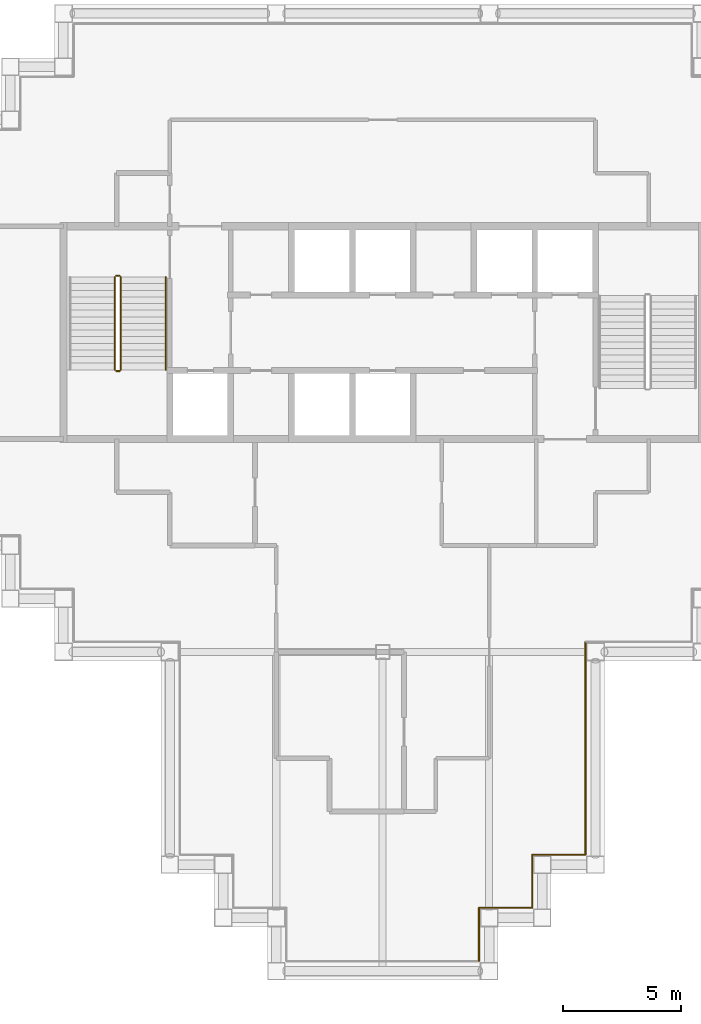
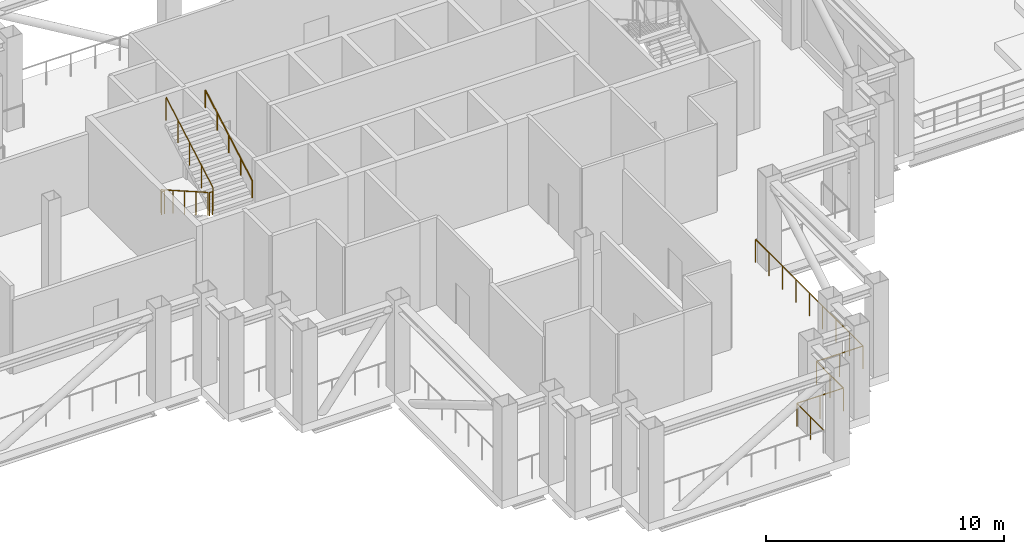
# One storey, part 8 of 10: 10 railings.
"""IFC4 building model written with IfcOpenShell, lengths in metres."""

import ifcopenshell
import ifcopenshell.guid

model = None  # the IFC model being written
_history = None  # IfcOwnerHistory: only IFC2X3 demands one
_inside = {}  # id of a spatial element -> (the spatial element, [elements in it])
_under = {}  # id of a project, library or spatial element -> (it, [spatial elements below it])
_declared = {}  # id of a project -> (the project, [libraries it declares])
_typed = {}  # id of a type object -> (the type object, [elements of that type])
_made_of = {}  # id of a material, layer set ... -> (it, [elements and type objects made of it])


def new_model(schema):
    """Start an empty IFC model of exactly this schema.

    Asked for "IFC4X3", IfcOpenShell would pick the latest addendum, in which some entities
    have other attributes; the version numbers below select the first issue.
    IFC2X3 requires an IfcOwnerHistory on every rooted entity: one is made here for all.
    """
    global model, _history
    if schema == "IFC4X3":
        model = ifcopenshell.file(schema_version=(4, 3, 0, 0))
    else:
        model = ifcopenshell.file(schema=schema)
    _inside.clear()
    _under.clear()
    _declared.clear()
    _typed.clear()
    _made_of.clear()
    _history = None
    if model.schema == "IFC2X3":
        org = make("IfcOrganization", Name="unknown")
        user = make(
            "IfcPersonAndOrganization",
            ThePerson=make("IfcPerson", FamilyName="unknown"),
            TheOrganization=org,
        )
        app = make(
            "IfcApplication",
            ApplicationDeveloper=org,
            Version="unknown",
            ApplicationFullName="unknown",
            ApplicationIdentifier="unknown",
        )
        _history = make(
            "IfcOwnerHistory",
            OwningUser=user,
            OwningApplication=app,
            ChangeAction="ADDED",
            CreationDate=0,
        )
    return model


def make(cls, **values):
    """One entity of the class cls with the attributes given. An attribute that is None is left unset."""
    return model.create_entity(
        cls, **{name: value for name, value in values.items() if value is not None}
    )


def rooted(cls, **values):
    """An entity with a GlobalId (a new one), such as an element, a storey or a relation."""
    return make(cls, GlobalId=ifcopenshell.guid.new(), OwnerHistory=_history, **values)


def si_unit(unit_type, name, prefix=None):
    """IfcSIUnit, for example si_unit("LENGTHUNIT", "METRE", prefix="MILLI")."""
    return make("IfcSIUnit", UnitType=unit_type, Prefix=prefix, Name=name)


def assignment(units):
    """IfcUnitAssignment: the units of a project."""
    return None if units is None else make("IfcUnitAssignment", Units=units)


def point(xyz):
    """IfcCartesianPoint."""
    return None if xyz is None else make("IfcCartesianPoint", Coordinates=xyz)


def direction(xyz):
    """IfcDirection."""
    return None if xyz is None else make("IfcDirection", DirectionRatios=xyz)


def frame(location, z_axis=None, x_axis=None):
    """IfcAxis2Placement3D, a coordinate frame: its origin and axes. An axis left out is left unset."""
    return make(
        "IfcAxis2Placement3D",
        Location=point(location),
        Axis=direction(z_axis),
        RefDirection=direction(x_axis),
    )


def frame_2d(location, x_axis=None):
    """IfcAxis2Placement2D, a coordinate frame in the plane: its origin and x axis."""
    return make(
        "IfcAxis2Placement2D", Location=point(location), RefDirection=direction(x_axis)
    )


def origin():
    """The frame at (0, 0, 0) with its axes left unset."""
    return frame((0.0, 0.0, 0.0))


def origin_2d():
    """The frame at (0, 0) in the plane with its x axis left unset."""
    return frame_2d((0.0, 0.0))


def place(relative_to, where):
    """IfcLocalPlacement: puts the frame where relative to a parent placement (None: the world)."""
    return make(
        "IfcLocalPlacement", PlacementRelTo=relative_to, RelativePlacement=where
    )


def context(
    kind, dimensions, precision=None, world=None, true_north=None, identifier=None
):
    """IfcGeometricRepresentationContext, for example the 3D "Model" context."""
    return make(
        "IfcGeometricRepresentationContext",
        ContextIdentifier=identifier,
        ContextType=kind,
        CoordinateSpaceDimension=dimensions,
        Precision=precision,
        WorldCoordinateSystem=world,
        TrueNorth=true_north,
    )


def subcontext(parent, identifier, kind, view, scale=None):
    """IfcGeometricRepresentationSubContext, for example "Body" below "Model"."""
    return make(
        "IfcGeometricRepresentationSubContext",
        ContextIdentifier=identifier,
        ContextType=kind,
        ParentContext=parent,
        TargetScale=scale,
        TargetView=view,
    )


def project(units=None, contexts=None):
    """IfcProject with its units and contexts."""
    return rooted(
        "IfcProject",
        Name="project",
        RepresentationContexts=contexts,
        UnitsInContext=assignment(units),
    )


def spatial(cls, under=None, at=None, **own):
    """A site, building, storey or space (cls), placed at a placement, below another one or the project."""
    s = rooted(cls, ObjectPlacement=at, **own)
    if under is not None:
        _under.setdefault(under.id(), (under, []))[1].append(s)
    return s


def profile(cls, at=None, kind="AREA", **sizes):
    """A parametric profile (cls). Its sizes go by their IFC names, for example OverallWidth=200.0."""
    return make(cls, ProfileType=kind, Position=at, **sizes)


def circle(**sizes):
    """IfcCircleProfileDef."""
    return profile("IfcCircleProfileDef", **sizes)


def extrude(swept, where, along, depth):
    """IfcExtrudedAreaSolid: the profile swept, set in the frame where, extruded along a direction by depth."""
    return make(
        "IfcExtrudedAreaSolid",
        SweptArea=swept,
        Position=where,
        ExtrudedDirection=direction(along),
        Depth=depth,
    )


def shape(context_of_items, identifier, shape_type, items):
    """IfcShapeRepresentation: the items that make up one representation, for example the "Body"."""
    return make(
        "IfcShapeRepresentation",
        ContextOfItems=context_of_items,
        RepresentationIdentifier=identifier,
        RepresentationType=shape_type,
        Items=items,
    )


def material(Name=None, Category=None):
    """IfcMaterial."""
    return make("IfcMaterial", Name=Name, Category=Category)


def made_of(thing, what):
    """Note that an element or type object is made of a material, layer set ...; save() writes the relation."""
    if what is not None:
        _made_of.setdefault(what.id(), (what, []))[1].append(thing)
    return thing


def type_object(cls, material=None, **own):
    """A type object (cls), such as IfcWallType, which elements share."""
    return made_of(rooted(cls, **own), material)


def element(
    cls,
    number,
    at=None,
    inside=None,
    cuts=None,
    type_object=None,
    material=None,
    context=None,
    identifier="Body",
    shape_type=None,
    held_by="IfcProductDefinitionShape",
    body=None,
    shapes=None,
    **own,
):
    """One element of the class cls, such as IfcWall. Its Tag is "e" and its number.

    at: its placement. inside: the storey or other place that contains it. cuts: it is an
    opening in that element (IfcRelVoidsElement). A single representation is given by context,
    identifier, shape_type and body (its items); several are given by shapes. held_by: the class
    of the entity that holds the representations. save() writes the other relations.
    """
    e = rooted(cls, Tag="e%d" % number, ObjectPlacement=at, **own)
    if body is not None:
        shapes = [shape(context, identifier, shape_type, body)]
    if shapes is not None:
        e.Representation = make(held_by, Representations=shapes)
    if inside is not None:
        _inside.setdefault(inside.id(), (inside, []))[1].append(e)
    if cuts is not None:
        rooted(
            "IfcRelVoidsElement", RelatingBuildingElement=cuts, RelatedOpeningElement=e
        )
    if type_object is not None:
        _typed.setdefault(type_object.id(), (type_object, []))[1].append(e)
    return made_of(e, material)


def aggregate(whole, parts):
    """IfcRelAggregates: a whole, such as a stair, and the parts it consists of."""
    return rooted("IfcRelAggregates", RelatingObject=whole, RelatedObjects=parts)


def save(model, path):
    """Write the relations noted so far, then the file.

    IfcRelAggregates (storeys below a building ...), IfcRelContainedInSpatialStructure (elements
    in a storey), IfcRelDefinesByType, IfcRelAssociatesMaterial and IfcRelDeclares: one each for
    every whole, place, type object, material and project.
    """
    for whole, parts in _under.values():
        aggregate(whole, parts)
    for where, things in _inside.values():
        rooted(
            "IfcRelContainedInSpatialStructure",
            RelatedElements=things,
            RelatingStructure=where,
        )
    for kind, things in _typed.values():
        rooted("IfcRelDefinesByType", RelatedObjects=things, RelatingType=kind)
    for what, things in _made_of.values():
        rooted("IfcRelAssociatesMaterial", RelatedObjects=things, RelatingMaterial=what)
    for by, libraries in _declared.values():
        rooted("IfcRelDeclares", RelatingContext=by, RelatedDefinitions=libraries)
    model.write(path)


model = new_model("IFC4")

# Units and contexts
model_context = context("Model", 3, precision=1e-05, world=origin(), true_north=direction((0.0, 1.0)))
body_context = subcontext(model_context, "Body", "Model", "MODEL_VIEW")
ifc_project = project(units=[si_unit("LENGTHUNIT", "METRE"), si_unit("AREAUNIT", "SQUARE_METRE"), si_unit("VOLUMEUNIT", "CUBIC_METRE"), si_unit("PLANEANGLEUNIT", "RADIAN"), si_unit("MASSUNIT", "GRAM", prefix="KILO")], contexts=[model_context])

# Site, building, storey
site_placement = place(None, origin())
site = spatial("IfcSite", under=ifc_project, at=site_placement, CompositionType="ELEMENT")
building_placement = place(site_placement, origin())
building = spatial("IfcBuilding", under=site, at=building_placement, Name="Caravel Reach Hotel and Residences", CompositionType="ELEMENT")
storey_placement = place(building_placement, frame((0.0, 0.0, 187.60009765625)))
storey = spatial("IfcBuildingStorey", under=building, at=storey_placement, Name="L47", CompositionType="ELEMENT", Elevation=187.60009765625)

# Railings
ifc_material_1 = material(Name="Stainless steel S30408", Category="steel")
railing_type_1 = type_object("IfcRailingType", Name="G1 Guard 1200 stainless", PredefinedType="GUARDRAIL", material=ifc_material_1)
railing_1_placement = place(storey_placement, frame((35.574951171875, 0.425048828125, 0.0)))
element("IfcRailing", 1, at=railing_1_placement, inside=storey, type_object=railing_type_1, Name="Guard L47 1 run 40", PredefinedType="GUARDRAIL", context=body_context, shape_type="SweptSolid", body=[
    extrude(circle(Radius=0.02392578125, at=origin_2d()), frame((0.0, 0.0, 1.17578125), z_axis=(0.0, 1.0, 0.0), x_axis=(-1.0, 0.0, 0.0)), (0.0, 0.0, 1.0), 2.25),
    extrude(circle(Radius=0.02099609375, at=origin_2d()), frame((0.0, 1.125, 0.0)), (0.0, 0.0, 1.0), 1.15185546875),
    extrude(circle(Radius=0.02099609375, at=origin_2d()), frame((0.0, 2.25, 0.0)), (0.0, 0.0, 1.0), 1.15185546875),
])
railing_2_placement = place(storey_placement, frame((35.574951171875, 2.675048828125, 0.0)))
element("IfcRailing", 2, at=railing_2_placement, inside=storey, type_object=railing_type_1, Name="Guard L47 1 run 41", PredefinedType="GUARDRAIL", context=body_context, shape_type="SweptSolid", body=[
    extrude(circle(Radius=0.02392578125, at=origin_2d()), frame((0.0, 0.0, 1.17578125), z_axis=(1.0, 0.0, 0.0), x_axis=(0.0, 1.0, 0.0)), (0.0, 0.0, 1.0), 2.25),
    extrude(circle(Radius=0.02099609375, at=origin_2d()), frame((1.125, 0.0, 0.0)), (0.0, 0.0, 1.0), 1.15185546875),
    extrude(circle(Radius=0.02099609375, at=origin_2d()), frame((2.25, 0.0, 0.0)), (0.0, 0.0, 1.0), 1.15185546875),
])
railing_3_placement = place(storey_placement, frame((37.824951171875, 2.675048828125, 0.0)))
element("IfcRailing", 3, at=railing_3_placement, inside=storey, type_object=railing_type_1, Name="Guard L47 1 run 42", PredefinedType="GUARDRAIL", context=body_context, shape_type="SweptSolid", body=[
    extrude(circle(Radius=0.02392578125, at=origin_2d()), frame((0.0, 0.0, 1.17578125), z_axis=(0.0, 1.0, 0.0), x_axis=(-1.0, 0.0, 0.0)), (0.0, 0.0, 1.0), 2.25),
    extrude(circle(Radius=0.02099609375, at=origin_2d()), frame((0.0, 1.125, 0.0)), (0.0, 0.0, 1.0), 1.15185546875),
    extrude(circle(Radius=0.02099609375, at=origin_2d()), frame((0.0, 2.25, 0.0)), (0.0, 0.0, 1.0), 1.15185546875),
])
railing_4_placement = place(storey_placement, frame((37.824951171875, 4.925048828125, 0.0)))
element("IfcRailing", 4, at=railing_4_placement, inside=storey, type_object=railing_type_1, Name="Guard L47 1 run 43", PredefinedType="GUARDRAIL", context=body_context, shape_type="SweptSolid", body=[
    extrude(circle(Radius=0.02392578125, at=origin_2d()), frame((0.0, 0.0, 1.17578125), z_axis=(1.0, 0.0, 0.0), x_axis=(0.0, 1.0, 0.0)), (0.0, 0.0, 1.0), 2.25),
    extrude(circle(Radius=0.02099609375, at=origin_2d()), frame((1.125, 0.0, 0.0)), (0.0, 0.0, 1.0), 1.15185546875),
    extrude(circle(Radius=0.02099609375, at=origin_2d()), frame((2.25, 0.0, 0.0)), (0.0, 0.0, 1.0), 1.15185546875),
])
railing_5_placement = place(storey_placement, frame((40.074951171875, 4.925048828125, 0.0)))
element("IfcRailing", 5, at=railing_5_placement, inside=storey, type_object=railing_type_1, Name="Guard L47 1 run 44", PredefinedType="GUARDRAIL", context=body_context, shape_type="SweptSolid", body=[
    extrude(circle(Radius=0.02392578125, at=origin_2d()), frame((0.0, 0.0, 1.17578125), z_axis=(0.0, 1.0, 0.0), x_axis=(-1.0, 0.0, 0.0)), (0.0, 0.0, 1.0), 9.0),
    extrude(circle(Radius=0.02099609375, at=origin_2d()), frame((0.0, 1.125, 0.0)), (0.0, 0.0, 1.0), 1.15185546875),
    extrude(circle(Radius=0.02099609375, at=origin_2d()), frame((0.0, 2.25, 0.0)), (0.0, 0.0, 1.0), 1.15185546875),
    extrude(circle(Radius=0.02099609375, at=origin_2d()), frame((0.0, 3.375, 0.0)), (0.0, 0.0, 1.0), 1.15185546875),
    extrude(circle(Radius=0.02099609375, at=origin_2d()), frame((0.0, 4.5, 0.0)), (0.0, 0.0, 1.0), 1.15185546875),
    extrude(circle(Radius=0.02099609375, at=origin_2d()), frame((0.0, 5.625, 0.0)), (0.0, 0.0, 1.0), 1.15185546875),
    extrude(circle(Radius=0.02099609375, at=origin_2d()), frame((0.0, 6.75, 0.0)), (0.0, 0.0, 1.0), 1.15185546875),
    extrude(circle(Radius=0.02099609375, at=origin_2d()), frame((0.0, 7.875, 0.0)), (0.0, 0.0, 1.0), 1.15185546875),
    extrude(circle(Radius=0.02099609375, at=origin_2d()), frame((0.0, 9.0, 0.0)), (0.0, 0.0, 1.0), 1.15185546875),
])
ifc_material_2 = material(Name="Steel balustrade with glass infill", Category="steel")
railing_type_2 = type_object("IfcRailingType", Name="Guard 1200", PredefinedType="GUARDRAIL", material=ifc_material_2)
railing_6_placement = place(storey_placement, frame((20.175048828125, 29.35009765625, 0.159912109375)))
element("IfcRailing", 6, at=railing_6_placement, inside=storey, type_object=railing_type_2, Name="L47 ST-A stair guard 1", PredefinedType="GUARDRAIL", context=body_context, shape_type="SweptSolid", body=[
    extrude(circle(Radius=0.02392578125, at=origin_2d()), frame((0.0, 0.0, 1.17578125), z_axis=(0.0, -0.86825312469, 0.496121468458), x_axis=(1.0, 0.0, 0.0)), (0.0, 0.0, 1.0), 4.514892578125),
    extrude(circle(Radius=0.02099609375, at=origin_2d()), origin(), (0.0, 0.0, 1.0), 1.15185546875),
    extrude(circle(Radius=0.02099609375, at=origin_2d()), frame((0.0, -0.97998046875, 0.56005859375)), (0.0, 0.0, 1.0), 1.15185546875),
    extrude(circle(Radius=0.02099609375, at=origin_2d()), frame((0.0, -1.9599609375, 1.1201171875)), (0.0, 0.0, 1.0), 1.15185546875),
    extrude(circle(Radius=0.02099609375, at=origin_2d()), frame((0.0, -2.940185546875, 1.679931640625)), (0.0, 0.0, 1.0), 1.15185546875),
    extrude(circle(Radius=0.02099609375, at=origin_2d()), frame((0.0, -3.920166015625, 2.239990234375)), (0.0, 0.0, 1.0), 1.15185546875),
])
railing_7_placement = place(storey_placement, frame((20.22509765625, 25.3798828125, 2.39990234375)))
element("IfcRailing", 7, at=railing_7_placement, inside=storey, type_object=railing_type_2, Name="L47 ST-A stair guard 2", PredefinedType="GUARDRAIL", context=body_context, shape_type="SweptSolid", body=[
    extrude(circle(Radius=0.02392578125, at=origin_2d()), frame((0.0, 0.0, 1.17578125), z_axis=(1.0, 0.0, 0.0), x_axis=(0.0, 1.0, 0.0)), (0.0, 0.0, 1.0), 0.14990234375),
    extrude(circle(Radius=0.02099609375, at=origin_2d()), origin(), (0.0, 0.0, 1.0), 1.15185546875),
    extrude(circle(Radius=0.02099609375, at=origin_2d()), frame((0.14990234375, 0.0, 0.0)), (0.0, 0.0, 1.0), 1.15185546875),
])
railing_8_placement = place(storey_placement, frame((20.425048828125, 25.429931640625, 2.559814453125)))
element("IfcRailing", 8, at=railing_8_placement, inside=storey, type_object=railing_type_2, Name="L47 ST-A stair guard 3", PredefinedType="GUARDRAIL", context=body_context, shape_type="SweptSolid", body=[
    extrude(circle(Radius=0.02392578125, at=origin_2d()), frame((0.0, 0.0, 1.17578125), z_axis=(0.0, 0.86825312469, 0.496121468458), x_axis=(-1.0, 0.0, 0.0)), (0.0, 0.0, 1.0), 4.514892578125),
    extrude(circle(Radius=0.02099609375, at=origin_2d()), origin(), (0.0, 0.0, 1.0), 1.15185546875),
    extrude(circle(Radius=0.02099609375, at=origin_2d()), frame((0.0, 0.97998046875, 0.56005859375)), (0.0, 0.0, 1.0), 1.15185546875),
    extrude(circle(Radius=0.02099609375, at=origin_2d()), frame((0.0, 1.9599609375, 1.1201171875)), (0.0, 0.0, 1.0), 1.15185546875),
    extrude(circle(Radius=0.02099609375, at=origin_2d()), frame((0.0, 2.940185546875, 1.679931640625)), (0.0, 0.0, 1.0), 1.15185546875),
    extrude(circle(Radius=0.02099609375, at=origin_2d()), frame((0.0, 3.920166015625, 2.239990234375)), (0.0, 0.0, 1.0), 1.15185546875),
])
railing_9_placement = place(storey_placement, frame((20.22509765625, 29.39990234375, 0.0)))
element("IfcRailing", 9, at=railing_9_placement, inside=storey, type_object=railing_type_2, Name="L47 ST-A stair guard 4", PredefinedType="GUARDRAIL", context=body_context, shape_type="SweptSolid", body=[
    extrude(circle(Radius=0.02392578125, at=origin_2d()), frame((0.0, 0.0, 1.17578125), z_axis=(1.0, 0.0, 0.0), x_axis=(0.0, 1.0, 0.0)), (0.0, 0.0, 1.0), 0.14990234375),
    extrude(circle(Radius=0.02099609375, at=origin_2d()), origin(), (0.0, 0.0, 1.0), 1.15185546875),
    extrude(circle(Radius=0.02099609375, at=origin_2d()), frame((0.14990234375, 0.0, 0.0)), (0.0, 0.0, 1.0), 1.15185546875),
])
ifc_material_3 = material(Name="Stainless steel handrail", Category="steel")
railing_type_3 = type_object("IfcRailingType", Name="Handrail 900", PredefinedType="HANDRAIL", material=ifc_material_3)
railing_10_placement = place(storey_placement, frame((22.324951171875, 25.429931640625, 2.559814453125)))
element("IfcRailing", 10, at=railing_10_placement, inside=storey, type_object=railing_type_3, Name="L47 ST-A stair handrail 2", PredefinedType="HANDRAIL", context=body_context, shape_type="SweptSolid", body=[
    extrude(circle(Radius=0.02392578125, at=origin_2d()), frame((0.0, 0.0, 0.8759765625), z_axis=(0.0, 0.86825312469, 0.496121468458), x_axis=(-1.0, 0.0, 0.0)), (0.0, 0.0, 1.0), 4.514892578125),
    extrude(circle(Radius=0.02099609375, at=origin_2d()), origin(), (0.0, 0.0, 1.0), 0.851806640625),
    extrude(circle(Radius=0.02099609375, at=origin_2d()), frame((0.0, 0.97998046875, 0.56005859375)), (0.0, 0.0, 1.0), 0.851806640625),
    extrude(circle(Radius=0.02099609375, at=origin_2d()), frame((0.0, 1.9599609375, 1.1201171875)), (0.0, 0.0, 1.0), 0.851806640625),
    extrude(circle(Radius=0.02099609375, at=origin_2d()), frame((0.0, 2.940185546875, 1.679931640625)), (0.0, 0.0, 1.0), 0.851806640625),
    extrude(circle(Radius=0.02099609375, at=origin_2d()), frame((0.0, 3.920166015625, 2.239990234375)), (0.0, 0.0, 1.0), 0.851806640625),
])

save(model, "model.ifc")
